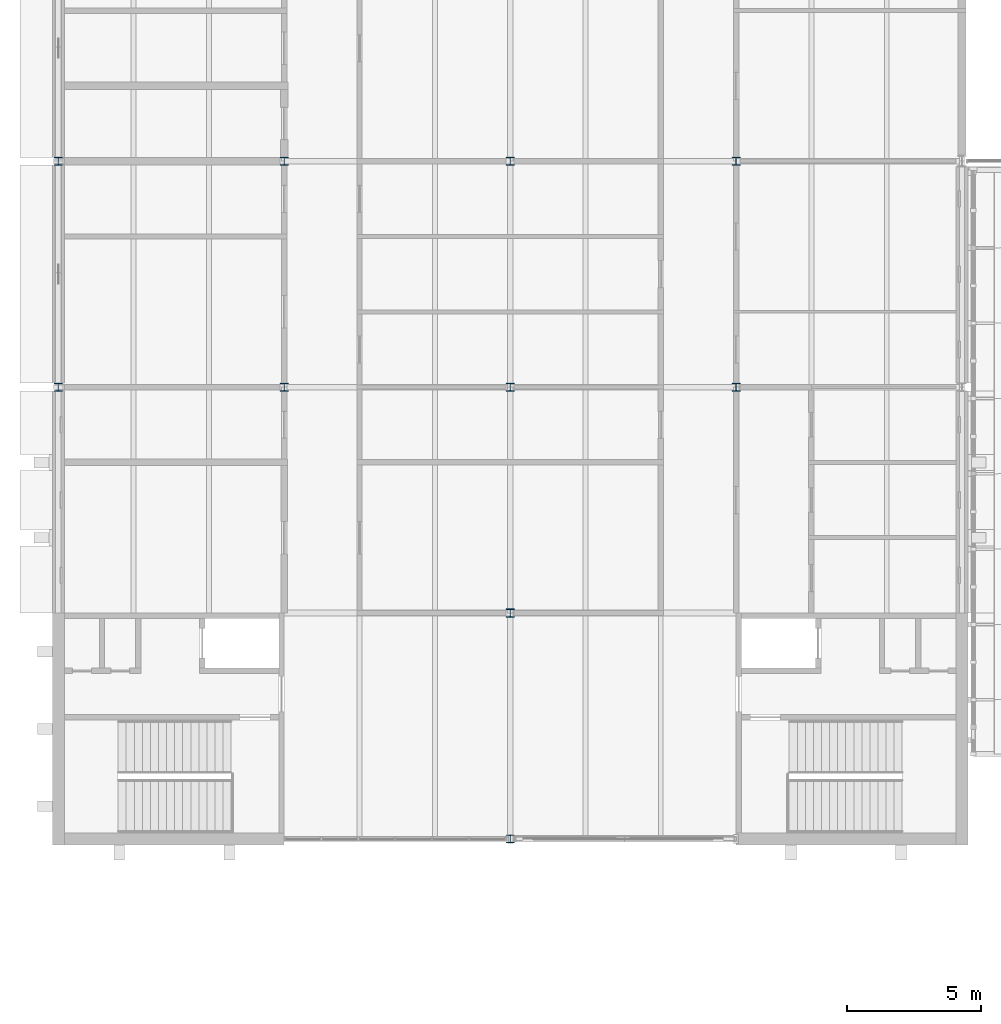
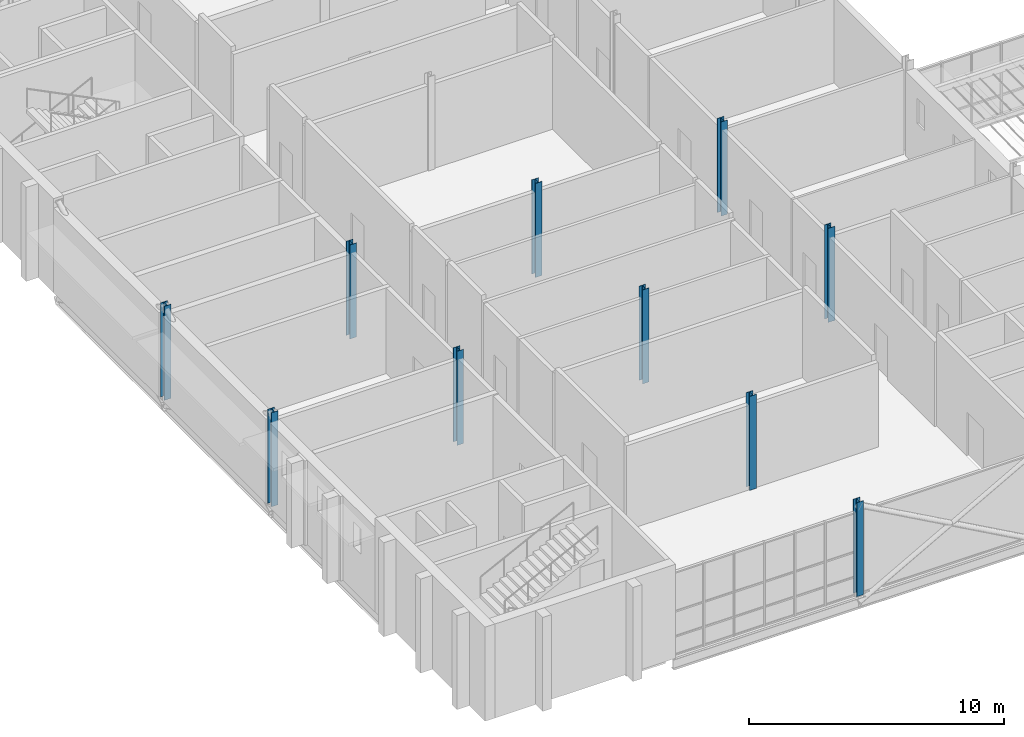
# One storey, part 1 of 129: 10 columns.
"""IFC4 building model written with IfcOpenShell, lengths in metres."""

from ifc_helpers import new_model, si_unit, direction, frame, origin, origin_2d, place, context, subcontext, project, spatial, i_section, extrude, material, material_profile, profile_set, type_object, element, save


model = new_model("IFC4")

# Units and contexts
model_context = context("Model", 3, precision=1e-05, world=origin(), true_north=direction((0.0, 1.0)))
body_context = subcontext(model_context, "Body", "Model", "MODEL_VIEW")
ifc_project = project(units=[si_unit("LENGTHUNIT", "METRE"), si_unit("AREAUNIT", "SQUARE_METRE"), si_unit("VOLUMEUNIT", "CUBIC_METRE"), si_unit("PLANEANGLEUNIT", "RADIAN"), si_unit("MASSUNIT", "GRAM", prefix="KILO")], contexts=[model_context])

# Site, building, storey
site_placement = place(None, origin())
site = spatial("IfcSite", under=ifc_project, at=site_placement, CompositionType="ELEMENT")
building_placement = place(site_placement, origin())
building = spatial("IfcBuilding", under=site, at=building_placement, Name="Ardhachandra Cancer Care Centre", CompositionType="ELEMENT")
storey_placement = place(building_placement, frame((0.0, 0.0, 4.5)))
storey = spatial("IfcBuildingStorey", under=building, at=storey_placement, Name="L01", CompositionType="ELEMENT", Elevation=4.5)

# Columns
ifc_material_1 = material(Name="Steel E350 (IS 2062)", Category="steel")
ifc_material_profile_1 = material_profile(ifc_material_1, i_section(OverallWidth=0.300048828125, OverallDepth=0.300048828125, WebThickness=0.010986328125, FlangeThickness=0.01904296875, FilletRadius=0.027099609375, at=origin_2d()), Name="WPB 300x300x117.03")
ifc_profile_set_1 = profile_set([ifc_material_profile_1], Name="Steel E350 (IS 2062)")
column_type_1 = type_object("IfcColumnType", Name="Column WPB 300x300x117.03", PredefinedType="COLUMN", material=ifc_profile_set_1)
for number, where, z_axis, x_axis, name in (
    (1, (27.60009765625, 37.800048828125, 0.0), (0.0, 0.0, 1.0), (1.0, 0.0, 0.0), "Column D3 L01"),
    (2, (19.199951171875, 46.199951171875, 0.0), (0.0, 0.0, 1.0), (1.0, 0.0, 0.0), "Column E2 L01"),
    (3, (27.60009765625, 46.199951171875, 0.0), (0.0, 0.0, 1.0), (1.0, 0.0, 0.0), "Column E3 L01"),
    (4, (36.0, 46.199951171875, 0.0), (0.0, 0.0, 1.0), (1.0, 0.0, 0.0), "Column E4 L01"),
    (5, (19.199951171875, 54.60009765625, 0.0), (0.0, 0.0, 1.0), (1.0, 0.0, 0.0), "Column F2 L01"),
    (6, (27.60009765625, 54.60009765625, 0.0), (0.0, 0.0, 1.0), (1.0, 0.0, 0.0), "Column F3 L01"),
    (7, (36.0, 54.60009765625, 0.0), (0.0, 0.0, 1.0), (1.0, 0.0, 0.0), "Column F4 L01"),
):
    element("IfcColumn", number, at=place(storey_placement, frame(where, z_axis=z_axis, x_axis=x_axis)), inside=storey, type_object=column_type_1, Name=name, PredefinedType="COLUMN", context=body_context, shape_type="SweptSolid", body=[
        extrude(i_section(OverallWidth=0.300048828125, OverallDepth=0.300048828125, WebThickness=0.010986328125, FlangeThickness=0.01904296875, FilletRadius=0.027099609375, at=origin_2d()), origin(), (0.0, 0.0, 1.0), 4.5),
    ])
ifc_material_2 = material(Name="Steel E350 (IS 2062)", Category="steel")
ifc_material_profile_2 = material_profile(ifc_material_2, i_section(OverallWidth=0.300048828125, OverallDepth=0.2900390625, WebThickness=0.008544921875, FlangeThickness=0.013916015625, FilletRadius=0.027099609375, at=origin_2d()), Name="WPB 300x300x88.33")
ifc_profile_set_2 = profile_set([ifc_material_profile_2], Name="Steel E350 (IS 2062)")
column_type_2 = type_object("IfcColumnType", Name="Column WPB 300x300x88.33", PredefinedType="COLUMN", material=ifc_profile_set_2)
for number, where, z_axis, x_axis, name in (
    (8, (27.60009765625, 29.39990234375, 0.0), (0.0, 0.0, 1.0), (1.0, 0.0, 0.0), "Column C3 L01"),
    (9, (10.800048828125, 46.199951171875, 0.0), (0.0, 0.0, 1.0), (1.0, 0.0, 0.0), "Column E1 L01"),
    (10, (10.800048828125, 54.60009765625, 0.0), (0.0, 0.0, 1.0), (1.0, 0.0, 0.0), "Column F1 L01"),
):
    element("IfcColumn", number, at=place(storey_placement, frame(where, z_axis=z_axis, x_axis=x_axis)), inside=storey, type_object=column_type_2, Name=name, PredefinedType="COLUMN", context=body_context, shape_type="SweptSolid", body=[
        extrude(i_section(OverallWidth=0.300048828125, OverallDepth=0.2900390625, WebThickness=0.008544921875, FlangeThickness=0.013916015625, FilletRadius=0.027099609375, at=origin_2d()), origin(), (0.0, 0.0, 1.0), 4.5),
    ])

save(model, "model.ifc")
